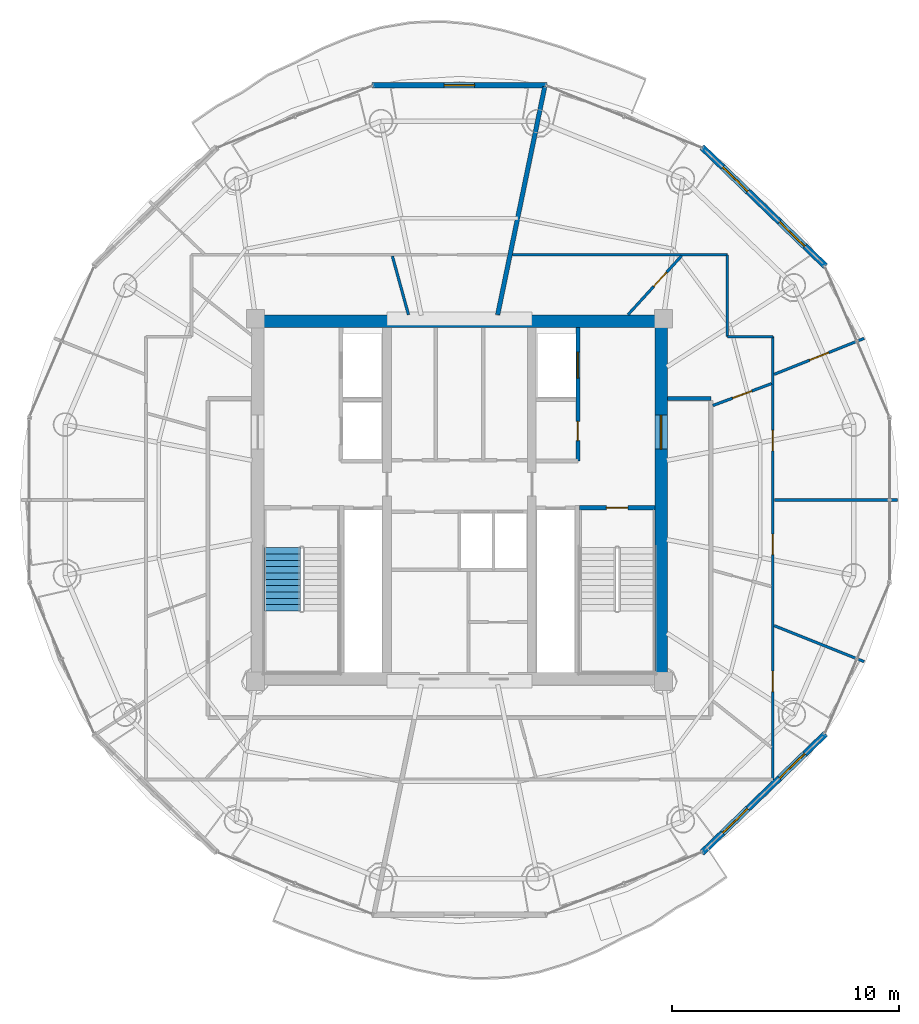
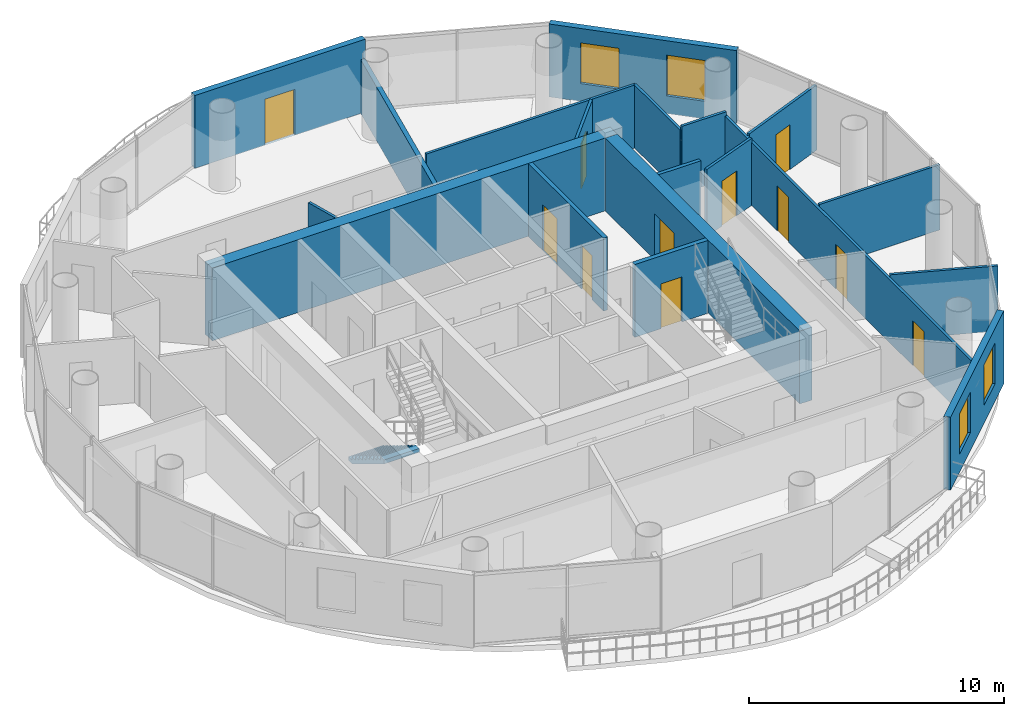
# One storey, part 16 of 21: 19 walls, 11 doors, 4 windows, 1 stair flight, 15 openings, 1 element without a shape of its own.
"""IFC4 building model written with IfcOpenShell, lengths in metres."""

from ifc_helpers import new_model, si_unit, direction, frame, frame_2d, origin, place, context, subcontext, project, spatial, polyline, rectangle, outline, extrude, source, transform, mapped, material, layer, layer_set, type_object, element, fill, aggregate, save


model = new_model("IFC4")

# Units and contexts
model_context = context("Model", 3, precision=1e-05, world=origin(), true_north=direction((-0.2419218956, 0.970295726276)))
body_context = subcontext(model_context, "Body", "Model", "MODEL_VIEW")
ifc_project = project(units=[si_unit("LENGTHUNIT", "METRE"), si_unit("AREAUNIT", "SQUARE_METRE"), si_unit("VOLUMEUNIT", "CUBIC_METRE"), si_unit("PLANEANGLEUNIT", "RADIAN"), si_unit("MASSUNIT", "GRAM", prefix="KILO")], contexts=[model_context])

# Site, building, storey
site_placement = place(None, origin())
site = spatial("IfcSite", under=ifc_project, at=site_placement, CompositionType="ELEMENT")
building_placement = place(site_placement, origin())
building = spatial("IfcBuilding", under=site, at=building_placement, Name="Cobrevalo Terracotta Tower", CompositionType="ELEMENT")
storey_placement = place(building_placement, frame((0.0, 0.0, 281.949951171875)))
storey = spatial("IfcBuildingStorey", under=building, at=storey_placement, Name="L74", CompositionType="ELEMENT", Elevation=281.949951171875)

# Wall
ifc_material_1 = material(Name="Concrete C50", Category="concrete")
ifc_layer_1 = layer(ifc_material_1, 0.550048828125)
ifc_layer_set_1 = layer_set([ifc_layer_1], Name="Concrete C50")
wall_type_1 = type_object("IfcWallType", Name="Core shear wall 550 mm Concrete C50", PredefinedType="SHEAR", material=ifc_layer_set_1)
wall_1_placement = place(storey_placement, frame((28.824951171875, 34.699951171875, 0.0), z_axis=(0.0, 0.0, 1.0), x_axis=(1.0, 0.0, 0.0)))
element("IfcWall", 1, at=wall_1_placement, inside=storey, type_object=wall_type_1, Name="L74 north core shear wall", PredefinedType="SHEAR", context=body_context, shape_type="SweptSolid", body=[
    extrude(rectangle(XDim=18.35009765625, YDim=0.550048828125, at=frame_2d((9.175048828125, 0.0))), origin(), (0.0, 0.0, 1.0), 3.489990234375),
])

# Wall, opening, door
wall_2_placement = place(storey_placement, frame((46.89990234375, 19.175048828125, 0.0), z_axis=(0.0, 0.0, 1.0), x_axis=(0.0, 1.0, 0.0)))
wall_2 = element("IfcWall", 2, at=wall_2_placement, inside=storey, type_object=wall_type_1, Name="L74 east core shear wall", PredefinedType="SHEAR", context=body_context, shape_type="SweptSolid", body=[
    extrude(rectangle(XDim=15.25, YDim=0.550048828125, at=frame_2d((7.625, 0.0))), origin(), (0.0, 0.0, 1.0), 3.489990234375),
])
opening_1_placement = place(wall_2_placement, frame((9.875, 0.0, 0.0)))
opening_1 = element("IfcOpeningElement", 3, at=opening_1_placement, cuts=wall_2, Name="Opening ID-14", PredefinedType="OPENING", context=body_context, shape_type="SweptSolid", body=[
    extrude(rectangle(XDim=1.5, YDim=2.199951171875, at=frame_2d((0.75, 1.10009765625))), frame((0.0, 0.28515625, 0.0), z_axis=(0.0, -1.0, 0.0), x_axis=(1.0, 0.0, 0.0)), (0.0, 0.0, 1.0), 0.570068359375),
])
ifc_material_2 = material(Name="Galvanized fire-rated steel", Category="steel")
door_type_1 = type_object("IfcDoorType", Name="Core cross-lobby double fire door 1500x2200 EI 90", OperationType="NOTDEFINED", PredefinedType="DOOR", material=ifc_material_2)
shared_shape_1 = source(origin(), body_context, "Body", "SweptSolid", [
    extrude(rectangle(XDim=1.5, YDim=2.199951171875, at=frame_2d((0.75, 1.10009765625))), frame((0.0, 0.02490234375, 0.0), z_axis=(0.0, -1.0, 0.0), x_axis=(1.0, 0.0, 0.0)), (0.0, 0.0, 1.0), 0.050048828125),
])
door_1_placement = place(opening_1_placement, frame((1.5, 0.0, 0.0), z_axis=(0.0, 0.0, 1.0), x_axis=(-1.0, 0.0, 0.0)))
door_1 = element("IfcDoor", 4, at=door_1_placement, inside=storey, type_object=door_type_1, Name="L74 east firefighting lobby entrance door", OperationType="DOUBLE_DOOR_SINGLE_SWING", OverallHeight=2.199951171875, OverallWidth=1.5, PredefinedType="DOOR", context=body_context, shape_type="MappedRepresentation", body=[
    mapped(shared_shape_1, transform((0.0, 0.0, 0.0), scale=1.0)),
])
fill(opening_1, door_1)

# Wall
ifc_material_3 = material(Name="Gypsum board on steel stud", Category="steel")
ifc_layer_2 = layer(ifc_material_3, 0.159912109375)
ifc_layer_set_2 = layer_set([ifc_layer_2], Name="Gypsum board on steel stud")
wall_type_2 = type_object("IfcWallType", Name="Fire-rated corridor acoustic partition wall 160 mm", PredefinedType="PARTITIONING", material=ifc_layer_set_2)
wall_3_placement = place(storey_placement, frame((47.175048828125, 31.280029296875, 0.0), z_axis=(0.0, 0.0, 1.0), x_axis=(1.0, 0.0, 0.0)))
element("IfcWall", 5, at=wall_3_placement, inside=storey, type_object=wall_type_2, Name="L74 interior partition IW-L74-COR-EN-CAP", PredefinedType="PARTITIONING", context=body_context, shape_type="SweptSolid", body=[
    extrude(rectangle(XDim=1.929931640625, YDim=0.159912109375, at=frame_2d((0.96484375, 0.0))), origin(), (0.0, 0.0, 1.0), 3.489990234375),
])

# Wall, openings, doors
ifc_layer_3 = layer(ifc_material_3, 0.179931640625)
ifc_layer_set_3 = layer_set([ifc_layer_3], Name="Gypsum board on steel stud")
wall_type_3 = type_object("IfcWallType", Name="Fire-rated shaft & lobby acoustic partition wall 180 mm", PredefinedType="PARTITIONING", material=ifc_layer_set_3)
wall_4_placement = place(storey_placement, frame((43.22998046875, 28.52001953125, 0.0), z_axis=(0.0, 0.0, 1.0), x_axis=(0.0, 1.0, 0.0)))
wall_4 = element("IfcWall", 6, at=wall_4_placement, inside=storey, type_object=wall_type_3, Name="L74 interior partition IW-L74-FF2-E", PredefinedType="PARTITIONING", context=body_context, shape_type="SweptSolid", body=[
    extrude(rectangle(XDim=5.905029296875, YDim=0.179931640625, at=frame_2d((2.95263671875, 0.0))), origin(), (0.0, 0.0, 1.0), 3.489990234375),
])
opening_2_placement = place(wall_4_placement, frame((0.905029296875, 0.0, 0.0)))
opening_2 = element("IfcOpeningElement", 7, at=opening_2_placement, cuts=wall_4, Name="Opening ID-22", PredefinedType="OPENING", context=body_context, shape_type="SweptSolid", body=[
    extrude(rectangle(XDim=0.85009765625, YDim=2.10009765625, at=frame_2d((0.425048828125, 1.050048828125))), frame((0.0, 0.10009765625, 0.0), z_axis=(0.0, -1.0, 0.0), x_axis=(1.0, 0.0, 0.0)), (0.0, 0.0, 1.0), 0.199951171875),
])
opening_3_placement = place(wall_4_placement, frame((3.655029296875, 0.0, 0.0)))
opening_3 = element("IfcOpeningElement", 8, at=opening_3_placement, cuts=wall_4, Name="Opening LD-02", PredefinedType="OPENING", context=body_context, shape_type="SweptSolid", body=[
    extrude(rectangle(XDim=1.14990234375, YDim=2.199951171875, at=frame_2d((0.574951171875, 1.10009765625))), frame((0.0, 0.10009765625, 0.0), z_axis=(0.0, -1.0, 0.0), x_axis=(1.0, 0.0, 0.0)), (0.0, 0.0, 1.0), 0.199951171875),
])
ifc_material_4 = material(Name="Powder-coated steel", Category="steel")
door_type_2 = type_object("IfcDoorType", Name="Riser shaft & meter closet fire access door 850x2100 EI 60", OperationType="NOTDEFINED", PredefinedType="DOOR", material=ifc_material_4)
shared_shape_2 = source(origin(), body_context, "Body", "SweptSolid", [
    extrude(rectangle(XDim=0.85009765625, YDim=2.10009765625, at=frame_2d((0.425048828125, 1.050048828125))), frame((0.0, 0.02490234375, 0.0), z_axis=(0.0, -1.0, 0.0), x_axis=(1.0, 0.0, 0.0)), (0.0, 0.0, 1.0), 0.050048828125),
])
door_2_placement = place(opening_2_placement, frame((0.85009765625, 0.0, 0.0), z_axis=(0.0, 0.0, 1.0), x_axis=(-1.0, 0.0, 0.0)))
door_2 = element("IfcDoor", 9, at=door_2_placement, inside=storey, type_object=door_type_2, Name="L74 housekeeping store door", OperationType="SINGLE_SWING_RIGHT", OverallHeight=2.10009765625, OverallWidth=0.85009765625, PredefinedType="DOOR", context=body_context, shape_type="MappedRepresentation", body=[
    mapped(shared_shape_2, transform((0.0, 0.0, 0.0), scale=1.0)),
])
fill(opening_2, door_2)
ifc_material_5 = material(Name="Brushed stainless steel", Category="steel")
door_type_3 = type_object("IfcDoorType", Name="Firefighting lift landing bi-parting sliding door 1150x2200 EI 120", OperationType="DOUBLE_DOOR_SLIDING", PredefinedType="DOOR", material=ifc_material_5)
shared_shape_3 = source(origin(), body_context, "Body", "SweptSolid", [
    extrude(rectangle(XDim=1.14990234375, YDim=2.199951171875, at=frame_2d((0.574951171875, 1.10009765625))), frame((0.0, 0.02490234375, 0.0), z_axis=(0.0, -1.0, 0.0), x_axis=(1.0, 0.0, 0.0)), (0.0, 0.0, 1.0), 0.050048828125),
])
door_3_placement = place(opening_3_placement, origin())
door_3 = element("IfcDoor", 10, at=door_3_placement, inside=storey, type_object=door_type_3, Name="L74 lift landing door FF-2", OperationType="DOUBLE_DOOR_SLIDING", OverallHeight=2.199951171875, OverallWidth=1.14990234375, PredefinedType="DOOR", context=body_context, shape_type="MappedRepresentation", body=[
    mapped(shared_shape_3, transform((0.0, 0.0, 0.0), scale=1.0)),
])
fill(opening_3, door_3)

# Wall
ifc_material_6 = material(Name="Autoclaved aerated concrete block", Category="concrete")
ifc_layer_4 = layer(ifc_material_6, 0.199951171875)
ifc_layer_set_4 = layer_set([ifc_layer_4], Name="Autoclaved aerated concrete block")
wall_type_4 = type_object("IfcWallType", Name="Fire-rated stair, shaft & demising masonry wall 200 mm", PredefinedType="PARTITIONING", material=ifc_layer_set_4)
wall_5_placement = place(storey_placement, frame((39.6875, 34.97705078125, 0.0), z_axis=(0.0, 0.0, 1.0), x_axis=(0.202091890364, 0.979366564596, 0.0)))
element("IfcWall", 11, at=wall_5_placement, inside=storey, type_object=wall_type_4, Name="L74 interior partition IW-L74-DEM-1", PredefinedType="PARTITIONING", context=body_context, shape_type="SweptSolid", body=[
    extrude(rectangle(XDim=10.2783203125, YDim=0.199951171875, at=frame_2d((5.13916015625, 0.0))), origin(), (0.0, 0.0, 1.0), 2.574951171875),
])

# Wall, openings, windows
ifc_layer_5 = layer(ifc_material_6, 0.280029296875)
ifc_layer_set_5 = layer_set([ifc_layer_5], Name="Autoclaved aerated concrete block")
wall_type_5 = type_object("IfcWallType", Name="Insulated tower spandrel & pier wall 280 mm with terracotta rainscreen", PredefinedType="SOLIDWALL", material=ifc_layer_set_5)
wall_6_placement = place(storey_placement, frame((54.1630859375, 37.116943359375, 0.0), z_axis=(0.0, 0.0, 1.0), x_axis=(-0.719979309073, 0.693995529169, 0.0)))
wall_6 = element("IfcWall", 12, at=wall_6_placement, inside=storey, type_object=wall_type_5, Name="L74 terracotta rainscreen pier wall S02", PredefinedType="SOLIDWALL", context=body_context, shape_type="SweptSolid", body=[
    extrude(rectangle(XDim=7.58251953125, YDim=0.280029296875, at=frame_2d((3.791259765625, 0.0))), origin(), (0.0, 0.0, 1.0), 3.489990234375),
])
opening_4_placement = place(wall_6_placement, frame((1.272216796875, 0.0, 0.85009765625)))
opening_4 = element("IfcOpeningElement", 13, at=opening_4_placement, cuts=wall_6, Name="Opening WN-12", PredefinedType="OPENING", context=body_context, shape_type="SweptSolid", body=[
    extrude(rectangle(XDim=1.550048828125, YDim=1.949951171875, at=frame_2d((0.77490234375, 0.97509765625))), frame((0.0, 0.14990234375, 0.0), z_axis=(0.0, -1.0, 0.0), x_axis=(1.0, 0.0, 0.0)), (0.0, 0.0, 1.0), 0.300048828125),
])
opening_5_placement = place(wall_6_placement, frame((4.76025390625, 0.0, 0.85009765625)))
opening_5 = element("IfcOpeningElement", 14, at=opening_5_placement, cuts=wall_6, Name="Opening WN-12", PredefinedType="OPENING", context=body_context, shape_type="SweptSolid", body=[
    extrude(rectangle(XDim=1.550048828125, YDim=1.949951171875, at=frame_2d((0.77490234375, 0.97509765625))), frame((0.0, 0.14990234375, 0.0), z_axis=(0.0, -1.0, 0.0), x_axis=(1.0, 0.0, 0.0)), (0.0, 0.0, 1.0), 0.300048828125),
])
ifc_material_7 = material(Name="Solar-control low-E double glazing", Category="glass")
window_type = type_object("IfcWindowType", Name="Solar-control low-E aluminium window 1550x1950", PartitioningType="SINGLE_PANEL", PredefinedType="WINDOW", material=ifc_material_7)
shared_shape_4 = source(origin(), body_context, "Body", "SweptSolid", [
    extrude(rectangle(XDim=1.550048828125, YDim=1.949951171875, at=frame_2d((0.77490234375, 0.97509765625))), frame((0.0, 0.030029296875, 0.0), z_axis=(0.0, -1.0, 0.0), x_axis=(1.0, 0.0, 0.0)), (0.0, 0.0, 1.0), 0.06005859375),
])
window_1_placement = place(opening_4_placement, origin())
window_1 = element("IfcWindow", 15, at=window_1_placement, inside=storey, type_object=window_type, Name="L74 suite window S02A", OverallHeight=1.949951171875, OverallWidth=1.550048828125, PartitioningType="SINGLE_PANEL", PredefinedType="WINDOW", context=body_context, shape_type="MappedRepresentation", body=[
    mapped(shared_shape_4, transform((0.0, 0.0, 0.0), scale=1.0)),
])
fill(opening_4, window_1)
window_2_placement = place(opening_5_placement, origin())
window_2 = element("IfcWindow", 16, at=window_2_placement, inside=storey, type_object=window_type, Name="L74 suite window S02B", OverallHeight=1.949951171875, OverallWidth=1.550048828125, PartitioningType="SINGLE_PANEL", PredefinedType="WINDOW", context=body_context, shape_type="MappedRepresentation", body=[
    mapped(shared_shape_4, transform((0.0, 0.0, 0.0), scale=1.0)),
])
fill(opening_5, window_2)

wall_7_placement = place(storey_placement, frame((48.703857421875, 11.220947265625, 0.0), z_axis=(0.0, 0.0, 1.0), x_axis=(0.719995397366, 0.69397883813, 0.0)))
wall_7 = element("IfcWall", 17, at=wall_7_placement, inside=storey, type_object=wall_type_5, Name="L74 terracotta rainscreen pier wall S14", PredefinedType="SOLIDWALL", context=body_context, shape_type="SweptSolid", body=[
    extrude(rectangle(XDim=7.582275390625, YDim=0.280029296875, at=frame_2d((3.791015625, 0.0))), origin(), (0.0, 0.0, 1.0), 3.489990234375),
])
opening_6_placement = place(wall_7_placement, frame((1.272216796875, 0.0, 0.85009765625)))
opening_6 = element("IfcOpeningElement", 18, at=opening_6_placement, cuts=wall_7, Name="Opening WN-12", PredefinedType="OPENING", context=body_context, shape_type="SweptSolid", body=[
    extrude(rectangle(XDim=1.550048828125, YDim=1.949951171875, at=frame_2d((0.77490234375, 0.97509765625))), frame((0.0, 0.14990234375, 0.0), z_axis=(0.0, -1.0, 0.0), x_axis=(1.0, 0.0, 0.0)), (0.0, 0.0, 1.0), 0.300048828125),
])
opening_7_placement = place(wall_7_placement, frame((4.76025390625, 0.0, 0.85009765625)))
opening_7 = element("IfcOpeningElement", 19, at=opening_7_placement, cuts=wall_7, Name="Opening WN-12", PredefinedType="OPENING", context=body_context, shape_type="SweptSolid", body=[
    extrude(rectangle(XDim=1.550048828125, YDim=1.949951171875, at=frame_2d((0.77490234375, 0.97509765625))), frame((0.0, 0.14990234375, 0.0), z_axis=(0.0, -1.0, 0.0), x_axis=(1.0, 0.0, 0.0)), (0.0, 0.0, 1.0), 0.300048828125),
])
window_3_placement = place(opening_6_placement, origin())
window_3 = element("IfcWindow", 20, at=window_3_placement, inside=storey, type_object=window_type, Name="L74 suite window S14A", OverallHeight=1.949951171875, OverallWidth=1.550048828125, PartitioningType="SINGLE_PANEL", PredefinedType="WINDOW", context=body_context, shape_type="MappedRepresentation", body=[
    mapped(shared_shape_4, transform((0.0, 0.0, 0.0), scale=1.0)),
])
fill(opening_6, window_3)
window_4_placement = place(opening_7_placement, origin())
window_4 = element("IfcWindow", 21, at=window_4_placement, inside=storey, type_object=window_type, Name="L74 suite window S14B", OverallHeight=1.949951171875, OverallWidth=1.550048828125, PartitioningType="SINGLE_PANEL", PredefinedType="WINDOW", context=body_context, shape_type="MappedRepresentation", body=[
    mapped(shared_shape_4, transform((0.0, 0.0, 0.0), scale=1.0)),
])
fill(opening_7, window_4)

# Wall, opening, door
ifc_layer_6 = layer(ifc_material_6, 0.260009765625)
ifc_layer_set_6 = layer_set([ifc_layer_6], Name="Autoclaved aerated concrete block")
wall_type_6 = type_object("IfcWallType", Name="Recessed balcony loggia insulated exterior wall 260 mm", PredefinedType="SOLIDWALL", material=ifc_layer_set_6)
wall_8_placement = place(storey_placement, frame((41.85888671875, 45.111328125, 0.0), z_axis=(0.0, 0.0, 1.0), x_axis=(-1.0, 0.0, 0.0)))
wall_8 = element("IfcWall", 22, at=wall_8_placement, inside=storey, type_object=wall_type_6, Name="L74 balcony loggia wall S04", PredefinedType="SOLIDWALL", context=body_context, shape_type="SweptSolid", body=[
    extrude(rectangle(XDim=7.7177734375, YDim=0.260009765625, at=frame_2d((3.85888671875, 0.0))), origin(), (0.0, 0.0, 1.0), 3.489990234375),
])
opening_8_placement = place(wall_8_placement, frame((3.183837890625, 0.0, 0.0)))
opening_8 = element("IfcOpeningElement", 23, at=opening_8_placement, cuts=wall_8, Name="Opening ED-05", PredefinedType="OPENING", context=body_context, shape_type="SweptSolid", body=[
    extrude(rectangle(XDim=1.35009765625, YDim=2.199951171875, at=frame_2d((0.675048828125, 1.10009765625))), frame((0.0, 0.14013671875, 0.0), z_axis=(0.0, -1.0, 0.0), x_axis=(1.0, 0.0, 0.0)), (0.0, 0.0, 1.0), 0.280029296875),
])
ifc_material_8 = material(Name="Anodized aluminium and laminated glass", Category="aluminium")
door_type_4 = type_object("IfcDoorType", Name="Suite balcony acoustic glazed terrace door 1350x2200", OperationType="NOTDEFINED", PredefinedType="DOOR", material=ifc_material_8)
shared_shape_5 = source(origin(), body_context, "Body", "SweptSolid", [
    extrude(rectangle(XDim=1.35009765625, YDim=2.199951171875, at=frame_2d((0.675048828125, 1.10009765625))), frame((0.0, 0.02490234375, 0.0), z_axis=(0.0, -1.0, 0.0), x_axis=(1.0, 0.0, 0.0)), (0.0, 0.0, 1.0), 0.050048828125),
])
door_4_placement = place(opening_8_placement, frame((1.35009765625, 0.0, 0.0), z_axis=(0.0, 0.0, 1.0), x_axis=(-1.0, 0.0, 0.0)))
door_4 = element("IfcDoor", 24, at=door_4_placement, inside=storey, type_object=door_type_4, Name="L74 glazed balcony terrace door 1", OperationType="SINGLE_SWING_LEFT", OverallHeight=2.199951171875, OverallWidth=1.35009765625, PredefinedType="DOOR", context=body_context, shape_type="MappedRepresentation", body=[
    mapped(shared_shape_5, transform((0.0, 0.0, 0.0), scale=1.0)),
])
fill(opening_8, door_4)

# Walls
ifc_layer_7 = layer(ifc_material_3, 0.1201171875)
ifc_layer_set_7 = layer_set([ifc_layer_7], Name="Gypsum board on steel stud")
wall_type_7 = type_object("IfcWallType", Name="Residential internal acoustic stud partition 120 mm", PredefinedType="PARTITIONING", material=ifc_layer_set_7)
wall_9_placement = place(storey_placement, frame((35.750732421875, 34.97705078125, 0.0), z_axis=(0.0, 0.0, 1.0), x_axis=(-0.26521778697, 0.964188532122, 0.0)))
element("IfcWall", 25, at=wall_9_placement, inside=storey, type_object=wall_type_7, Name="L74 interior partition IW-L74-U1-IRAD1", PredefinedType="PARTITIONING", context=body_context, shape_type="SweptSolid", body=[
    extrude(rectangle(XDim=2.684326171875, YDim=0.1201171875, at=frame_2d((1.34228515625, 0.0))), origin(), (0.0, 0.0, 1.0), 2.574951171875),
])
wall_10_placement = place(storey_placement, frame((40.3359375, 37.625, 0.0), z_axis=(0.0, 0.0, 1.0), x_axis=(1.0, 0.0, 0.0)))
element("IfcWall", 26, at=wall_10_placement, inside=storey, type_object=wall_type_7, Name="L74 interior partition IW-L74-U2-RING0_0", PredefinedType="PARTITIONING", context=body_context, shape_type="SweptSolid", body=[
    extrude(rectangle(XDim=9.489013671875, YDim=0.1201171875, at=frame_2d((4.74462890625, 0.0))), origin(), (0.0, 0.0, 1.0), 3.01513671875),
])
wall_11_placement = place(storey_placement, frame((49.824951171875, 37.625, 0.0), z_axis=(0.0, 0.0, 1.0), x_axis=(0.0, -1.0, 0.0)))
element("IfcWall", 27, at=wall_11_placement, inside=storey, type_object=wall_type_7, Name="L74 interior partition IW-L74-U2-RING1_0", PredefinedType="PARTITIONING", context=body_context, shape_type="SweptSolid", body=[
    extrude(rectangle(XDim=3.614990234375, YDim=0.1201171875, at=frame_2d((1.8076171875, 0.0))), origin(), (0.0, 0.0, 1.0), 3.01513671875),
])
wall_12_placement = place(storey_placement, frame((49.824951171875, 34.010009765625, 0.0), z_axis=(0.0, 0.0, 1.0), x_axis=(1.0, 0.0, 0.0)))
element("IfcWall", 28, at=wall_12_placement, inside=storey, type_object=wall_type_7, Name="L74 interior partition IW-L74-U2-RING2_0", PredefinedType="PARTITIONING", context=body_context, shape_type="SweptSolid", body=[
    extrude(rectangle(XDim=2.010009765625, YDim=0.1201171875, at=frame_2d((1.0048828125, 0.0))), origin(), (0.0, 0.0, 1.0), 3.208984375),
])

# Wall, openings, doors
wall_13_placement = place(storey_placement, frame((51.8349609375, 34.010009765625, 0.0), z_axis=(0.0, 0.0, 1.0), x_axis=(0.0, -1.0, 0.0)))
wall_13 = element("IfcWall", 29, at=wall_13_placement, inside=storey, type_object=wall_type_7, Name="L74 interior partition IW-L74-U2-RING3_0", PredefinedType="PARTITIONING", context=body_context, shape_type="SweptSolid", body=[
    extrude(rectangle(XDim=19.544921875, YDim=0.1201171875, at=frame_2d((9.7724609375, 0.0))), origin(), (0.0, 0.0, 1.0), 3.01513671875),
])
opening_9_placement = place(wall_13_placement, frame((14.767578125, 0.0, 0.0)))
opening_9 = element("IfcOpeningElement", 30, at=opening_9_placement, cuts=wall_13, Name="Opening ID-12", PredefinedType="OPENING", context=body_context, shape_type="SweptSolid", body=[
    extrude(rectangle(XDim=0.89990234375, YDim=2.14990234375, at=frame_2d((0.449951171875, 1.074951171875))), frame((0.0, 0.070068359375, 0.0), z_axis=(0.0, -1.0, 0.0), x_axis=(1.0, 0.0, 0.0)), (0.0, 0.0, 1.0), 0.14013671875),
])
opening_10_placement = place(wall_13_placement, frame((8.71826171875, 0.0, 0.0)))
opening_10 = element("IfcOpeningElement", 31, at=opening_10_placement, cuts=wall_13, Name="Opening ID-12", PredefinedType="OPENING", context=body_context, shape_type="SweptSolid", body=[
    extrude(rectangle(XDim=0.89990234375, YDim=2.14990234375, at=frame_2d((0.449951171875, 1.074951171875))), frame((0.0, 0.070068359375, 0.0), z_axis=(0.0, -1.0, 0.0), x_axis=(1.0, 0.0, 0.0)), (0.0, 0.0, 1.0), 0.14013671875),
])
opening_11_placement = place(wall_13_placement, frame((4.140380859375, 0.0, 0.0)))
opening_11 = element("IfcOpeningElement", 32, at=opening_11_placement, cuts=wall_13, Name="Opening ID-12", PredefinedType="OPENING", context=body_context, shape_type="SweptSolid", body=[
    extrude(rectangle(XDim=0.89990234375, YDim=2.14990234375, at=frame_2d((0.449951171875, 1.074951171875))), frame((0.0, 0.070068359375, 0.0), z_axis=(0.0, -1.0, 0.0), x_axis=(1.0, 0.0, 0.0)), (0.0, 0.0, 1.0), 0.14013671875),
])
ifc_material_9 = material(Name="Engineered timber", Category="wood")
door_type_5 = type_object("IfcDoorType", Name="Internal residence & suite timber door 900x2150", OperationType="NOTDEFINED", PredefinedType="DOOR", material=ifc_material_9)
shared_shape_6 = source(origin(), body_context, "Body", "SweptSolid", [
    extrude(rectangle(XDim=0.89990234375, YDim=2.14990234375, at=frame_2d((0.449951171875, 1.074951171875))), frame((0.0, 0.02490234375, 0.0), z_axis=(0.0, -1.0, 0.0), x_axis=(1.0, 0.0, 0.0)), (0.0, 0.0, 1.0), 0.050048828125),
])
door_5_placement = place(opening_9_placement, frame((0.89990234375, 0.0, 0.0), z_axis=(0.0, 0.0, 1.0), x_axis=(-1.0, 0.0, 0.0)))
door_5 = element("IfcDoor", 33, at=door_5_placement, inside=storey, type_object=door_type_5, Name="Flat L74B Kitchen internal door", OperationType="SINGLE_SWING_RIGHT", OverallHeight=2.14990234375, OverallWidth=0.89990234375, PredefinedType="DOOR", context=body_context, shape_type="MappedRepresentation", body=[
    mapped(shared_shape_6, transform((0.0, 0.0, 0.0), scale=1.0)),
])
fill(opening_9, door_5)
door_6_placement = place(opening_10_placement, origin())
door_6 = element("IfcDoor", 34, at=door_6_placement, inside=storey, type_object=door_type_5, Name="Flat L74B Master Bedroom internal door", OperationType="SINGLE_SWING_RIGHT", OverallHeight=2.14990234375, OverallWidth=0.89990234375, PredefinedType="DOOR", context=body_context, shape_type="MappedRepresentation", body=[
    mapped(shared_shape_6, transform((0.0, 0.0, 0.0), scale=1.0)),
])
fill(opening_10, door_6)
door_7_placement = place(opening_11_placement, origin())
door_7 = element("IfcDoor", 35, at=door_7_placement, inside=storey, type_object=door_type_5, Name="Flat L74B Penthouse Family Lounge internal door", OperationType="SINGLE_SWING_LEFT", OverallHeight=2.14990234375, OverallWidth=0.89990234375, PredefinedType="DOOR", context=body_context, shape_type="MappedRepresentation", body=[
    mapped(shared_shape_6, transform((0.0, 0.0, 0.0), scale=1.0)),
])
fill(opening_11, door_7)

# Walls
wall_14_placement = place(storey_placement, frame((51.892578125, 21.253173828125, 0.0), z_axis=(0.0, 0.0, 1.0), x_axis=(0.928712556691, -0.370800467966, 0.0)))
element("IfcWall", 36, at=wall_14_placement, inside=storey, type_object=wall_type_7, Name="L74 interior partition IW-L74-U2-ORAD1", PredefinedType="PARTITIONING", context=body_context, shape_type="SweptSolid", body=[
    extrude(rectangle(XDim=4.27978515625, YDim=0.1201171875, at=frame_2d((2.139892578125, 0.0))), origin(), (0.0, 0.0, 1.0), 3.12109375),
])
wall_15_placement = place(storey_placement, frame((51.89697265625, 26.800048828125, 0.0), z_axis=(0.0, 0.0, 1.0), x_axis=(1.0, 0.0, 0.0)))
element("IfcWall", 37, at=wall_15_placement, inside=storey, type_object=wall_type_7, Name="L74 interior partition IW-L74-U2-ORAD2M1", PredefinedType="PARTITIONING", context=body_context, shape_type="SweptSolid", body=[
    extrude(rectangle(XDim=5.443115234375, YDim=0.1201171875, at=frame_2d((2.7216796875, 0.0))), origin(), (0.0, 0.0, 1.0), 3.12109375),
])

# Wall, opening, door
wall_16_placement = place(storey_placement, frame((51.892578125, 32.346923828125, 0.0), z_axis=(0.0, 0.0, 1.0), x_axis=(0.928712556691, 0.370800467966, 0.0)))
wall_16 = element("IfcWall", 38, at=wall_16_placement, inside=storey, type_object=wall_type_7, Name="L74 interior partition IW-L74-U2-ORAD2", PredefinedType="PARTITIONING", context=body_context, shape_type="SweptSolid", body=[
    extrude(rectangle(XDim=4.27978515625, YDim=0.1201171875, at=frame_2d((2.139892578125, 0.0))), origin(), (0.0, 0.0, 1.0), 3.12109375),
])
opening_12_placement = place(wall_16_placement, frame((1.68994140625, 0.0, 0.0)))
opening_12 = element("IfcOpeningElement", 39, at=opening_12_placement, cuts=wall_16, Name="Opening ID-12", PredefinedType="OPENING", context=body_context, shape_type="SweptSolid", body=[
    extrude(rectangle(XDim=0.89990234375, YDim=2.14990234375, at=frame_2d((0.449951171875, 1.074951171875))), frame((0.0, 0.070068359375, 0.0), z_axis=(0.0, -1.0, 0.0), x_axis=(1.0, 0.0, 0.0)), (0.0, 0.0, 1.0), 0.14013671875),
])
door_8_placement = place(opening_12_placement, origin())
door_8 = element("IfcDoor", 40, at=door_8_placement, inside=storey, type_object=door_type_5, Name="Flat L74B Private Cinema Room internal door", OperationType="SINGLE_SWING_RIGHT", OverallHeight=2.14990234375, OverallWidth=0.89990234375, PredefinedType="DOOR", context=body_context, shape_type="MappedRepresentation", body=[
    mapped(shared_shape_6, transform((0.0, 0.0, 0.0), scale=1.0)),
])
fill(opening_12, door_8)

wall_17_placement = place(storey_placement, frame((49.18505859375, 30.970947265625, 0.0), z_axis=(0.0, 0.0, 1.0), x_axis=(0.93696600231, 0.349420535338, 0.0)))
wall_17 = element("IfcWall", 41, at=wall_17_placement, inside=storey, type_object=wall_type_7, Name="L74 interior partition IW-L74-U2-IRAD4", PredefinedType="PARTITIONING", context=body_context, shape_type="SweptSolid", body=[
    extrude(rectangle(XDim=2.76611328125, YDim=0.1201171875, at=frame_2d((1.383056640625, 0.0))), origin(), (0.0, 0.0, 1.0), 3.208984375),
])
opening_13_placement = place(wall_17_placement, frame((0.93310546875, 0.0, 0.0)))
opening_13 = element("IfcOpeningElement", 42, at=opening_13_placement, cuts=wall_17, Name="Opening ID-12", PredefinedType="OPENING", context=body_context, shape_type="SweptSolid", body=[
    extrude(rectangle(XDim=0.89990234375, YDim=2.14990234375, at=frame_2d((0.449951171875, 1.074951171875))), frame((0.0, 0.070068359375, 0.0), z_axis=(0.0, -1.0, 0.0), x_axis=(1.0, 0.0, 0.0)), (0.0, 0.0, 1.0), 0.14013671875),
])
door_9_placement = place(opening_13_placement, origin())
door_9 = element("IfcDoor", 43, at=door_9_placement, inside=storey, type_object=door_type_5, Name="Flat L74B Utility Closet internal door", OperationType="SINGLE_SWING_RIGHT", OverallHeight=2.14990234375, OverallWidth=0.89990234375, PredefinedType="DOOR", context=body_context, shape_type="MappedRepresentation", body=[
    mapped(shared_shape_6, transform((0.0, 0.0, 0.0), scale=1.0)),
])
fill(opening_13, door_9)

wall_18_placement = place(storey_placement, frame((45.43896484375, 34.9765625, 0.0), z_axis=(0.0, 0.0, 1.0), x_axis=(0.672980108938, 0.739660579573, 0.0)))
wall_18 = element("IfcWall", 44, at=wall_18_placement, inside=storey, type_object=wall_type_7, Name="L74 interior partition IW-L74-U2-IRAD5", PredefinedType="PARTITIONING", context=body_context, shape_type="SweptSolid", body=[
    extrude(rectangle(XDim=3.5185546875, YDim=0.1201171875, at=frame_2d((1.75927734375, 0.0))), origin(), (0.0, 0.0, 1.0), 3.01513671875),
])
opening_14_placement = place(wall_18_placement, frame((1.685302734375, 0.0, 0.0)))
opening_14 = element("IfcOpeningElement", 45, at=opening_14_placement, cuts=wall_18, Name="Opening ID-19", PredefinedType="OPENING", context=body_context, shape_type="SweptSolid", body=[
    extrude(rectangle(XDim=0.860107421875, YDim=2.14990234375, at=frame_2d((0.43017578125, 1.074951171875))), frame((0.0, 0.070068359375, 0.0), z_axis=(0.0, -1.0, 0.0), x_axis=(1.0, 0.0, 0.0)), (0.0, 0.0, 1.0), 0.14013671875),
])
ifc_material_10 = material(Name="Moisture-sealed timber", Category="wood")
door_type_6 = type_object("IfcDoorType", Name="Suite bathroom internal timber door 860x2150", OperationType="NOTDEFINED", PredefinedType="DOOR", material=ifc_material_10)
shared_shape_7 = source(origin(), body_context, "Body", "SweptSolid", [
    extrude(rectangle(XDim=0.860107421875, YDim=2.14990234375, at=frame_2d((0.43017578125, 1.074951171875))), frame((0.0, 0.02490234375, 0.0), z_axis=(0.0, -1.0, 0.0), x_axis=(1.0, 0.0, 0.0)), (0.0, 0.0, 1.0), 0.050048828125),
])
door_10_placement = place(opening_14_placement, origin())
door_10 = element("IfcDoor", 46, at=door_10_placement, inside=storey, type_object=door_type_6, Name="Flat L74B Guest Bathroom internal door", OperationType="SINGLE_SWING_LEFT", OverallHeight=2.14990234375, OverallWidth=0.860107421875, PredefinedType="DOOR", context=body_context, shape_type="MappedRepresentation", body=[
    mapped(shared_shape_7, transform((0.0, 0.0, 0.0), scale=1.0)),
])
fill(opening_14, door_10)

ifc_layer_8 = layer(ifc_material_1, 0.199951171875)
ifc_layer_set_8 = layer_set([ifc_layer_8], Name="Concrete C50")
wall_type_8 = type_object("IfcWallType", Name="Structural core & podium stair-shaft RC wall 200 mm Concrete C50", PredefinedType="SOLIDWALL", material=ifc_layer_set_8)
wall_19_placement = place(storey_placement, frame((43.304931640625, 26.449951171875, 0.0), z_axis=(0.0, 0.0, 1.0), x_axis=(1.0, 0.0, 0.0)))
wall_19 = element("IfcWall", 47, at=wall_19_placement, inside=storey, type_object=wall_type_8, Name="L74 ST-2 north structural shaft wall", PredefinedType="SOLIDWALL", context=body_context, shape_type="SweptSolid", body=[
    extrude(rectangle(XDim=3.320068359375, YDim=0.199951171875, at=frame_2d((1.66015625, 0.0))), origin(), (0.0, 0.0, 1.0), 3.489990234375),
])
opening_15_placement = place(wall_19_placement, frame((1.18505859375, 0.0, 0.0)))
opening_15 = element("IfcOpeningElement", 48, at=opening_15_placement, cuts=wall_19, Name="Opening ID-04", PredefinedType="OPENING", context=body_context, shape_type="SweptSolid", body=[
    extrude(rectangle(XDim=0.949951171875, YDim=2.14990234375, at=frame_2d((0.47509765625, 1.074951171875))), frame((0.0, 0.10986328125, 0.0), z_axis=(0.0, -1.0, 0.0), x_axis=(1.0, 0.0, 0.0)), (0.0, 0.0, 1.0), 0.219970703125),
])
door_type_7 = type_object("IfcDoorType", Name="Stair & firefighting lobby fire door 950x2150 EI 90", OperationType="NOTDEFINED", PredefinedType="DOOR", material=ifc_material_2)
shared_shape_8 = source(origin(), body_context, "Body", "SweptSolid", [
    extrude(rectangle(XDim=0.949951171875, YDim=2.14990234375, at=frame_2d((0.47509765625, 1.074951171875))), frame((0.0, 0.02490234375, 0.0), z_axis=(0.0, -1.0, 0.0), x_axis=(1.0, 0.0, 0.0)), (0.0, 0.0, 1.0), 0.050048828125),
])
door_11_placement = place(opening_15_placement, frame((0.949951171875, 0.0, 0.0), z_axis=(0.0, 0.0, 1.0), x_axis=(-1.0, 0.0, 0.0)))
door_11 = element("IfcDoor", 49, at=door_11_placement, inside=storey, type_object=door_type_7, Name="L74 protected stair ST2 fire door", OperationType="SINGLE_SWING_RIGHT", OverallHeight=2.14990234375, OverallWidth=0.949951171875, PredefinedType="DOOR", context=body_context, shape_type="MappedRepresentation", body=[
    mapped(shared_shape_8, transform((0.0, 0.0, 0.0), scale=1.0)),
])
fill(opening_15, door_11)

# Stair, stair flight
stair_type = type_object("IfcStairType", Name="Core protected escape dogleg stair 1600", PredefinedType="HALF_TURN_STAIR", material=ifc_material_1)
stair_placement = place(storey_placement, origin())
stair = element("IfcStair", 50, at=stair_placement, inside=storey, type_object=stair_type, Name="L74 Protected exit stair ST-1", PredefinedType="HALF_TURN_STAIR")
stair_flight_type = type_object("IfcStairFlightType", Name="Core protected escape dogleg stair 1600 flight", PredefinedType="STRAIGHT", material=ifc_material_1)
stair_flight_placement = place(storey_placement, frame((30.175048828125, 24.699951171875, 0.0), z_axis=(0.0, 0.0, 1.0), x_axis=(0.0, -1.0, 0.0)))
stair_flight = element("IfcStairFlight", 51, at=stair_flight_placement, type_object=stair_flight_type, Name="ST-1 flight 1", NumberOfRisers=11, NumberOfTreads=10, PredefinedType="STRAIGHT", RiserHeight=0.170454545, TreadLength=0.28, context=body_context, shape_type="SweptSolid", body=[
    extrude(outline(polyline([(0.0, 0.0), (0.0, 0.17041015625), (0.280029296875, 0.17041015625), (0.280029296875, 0.3408203125), (0.56005859375, 0.3408203125), (0.56005859375, 0.511474609375), (0.840087890625, 0.511474609375), (0.840087890625, 0.681884765625), (1.1201171875, 0.681884765625), (1.1201171875, 0.852294921875), (1.39990234375, 0.852294921875), (1.39990234375, 1.022705078125), (1.679931640625, 1.022705078125), (1.679931640625, 1.193115234375), (1.9599609375, 1.193115234375), (1.9599609375, 1.363525390625), (2.239990234375, 1.363525390625), (2.239990234375, 1.5341796875), (2.52001953125, 1.5341796875), (2.52001953125, 1.70458984375), (2.800048828125, 1.70458984375), (2.800048828125, 1.875), (2.800048828125, 1.517333984375), (0.3076171875, 0.0), (0.0, 0.0)])), frame((0.0, 0.800048828125, 0.0), z_axis=(0.0, -1.0, 0.0), x_axis=(1.0, 0.0, 0.0)), (0.0, 0.0, 1.0), 1.60009765625),
])
aggregate(stair, [stair_flight])

save(model, "model.ifc")
